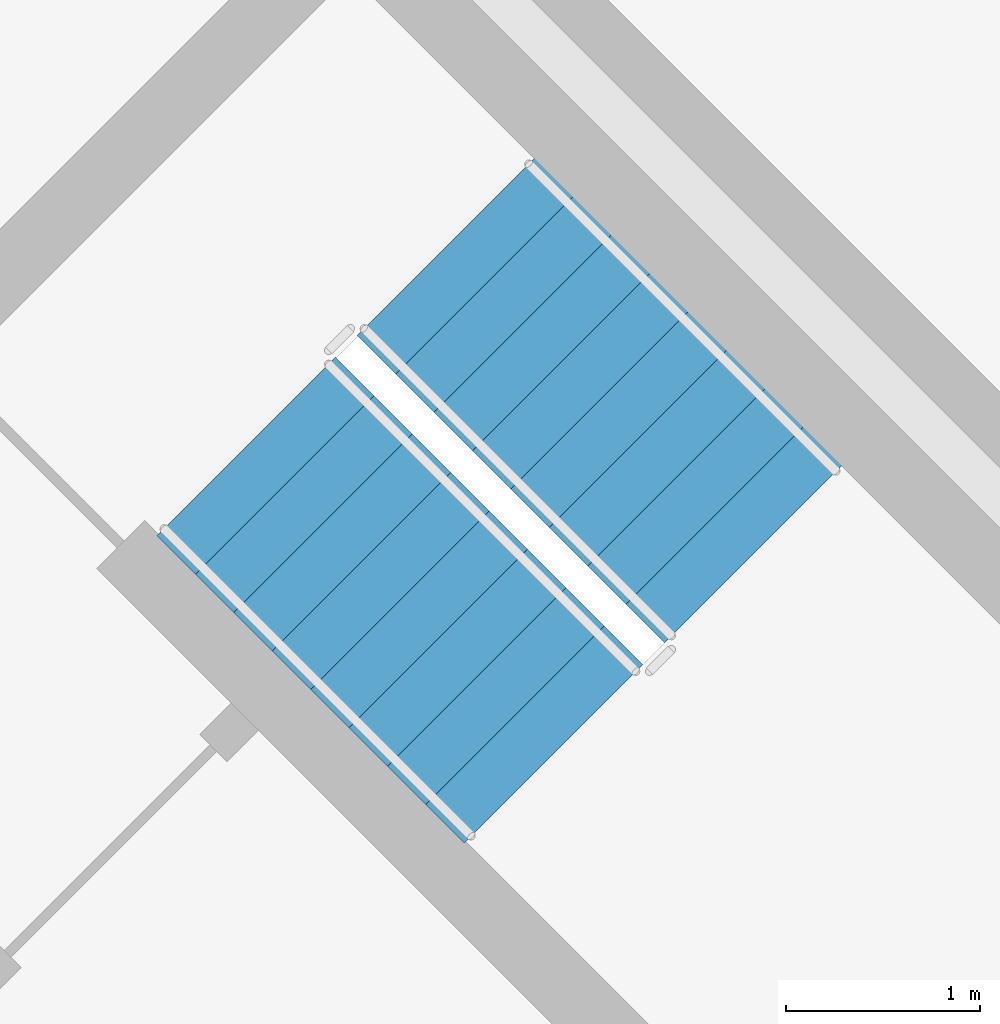
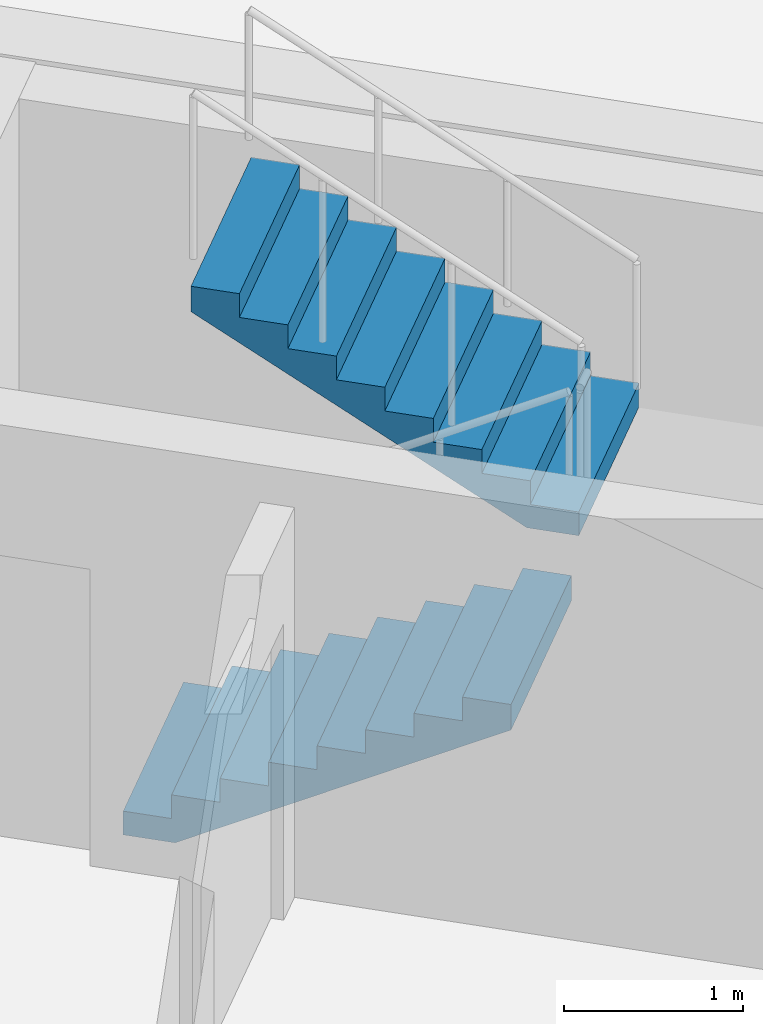
# One storey, part 15 of 17: 2 stair flights, 1 element without a shape of its own.
"""IFC4 building model written with IfcOpenShell, lengths in metres."""

from ifc_helpers import new_model, si_unit, direction, frame, origin, place, context, subcontext, project, spatial, polyline, outline, extrude, material, type_object, element, aggregate, save


model = new_model("IFC4")

# Units and contexts
model_context = context("Model", 3, precision=1e-05, world=origin(), true_north=direction((0.0, 1.0)))
body_context = subcontext(model_context, "Body", "Model", "MODEL_VIEW")
ifc_project = project(units=[si_unit("LENGTHUNIT", "METRE"), si_unit("AREAUNIT", "SQUARE_METRE"), si_unit("VOLUMEUNIT", "CUBIC_METRE"), si_unit("PLANEANGLEUNIT", "RADIAN"), si_unit("MASSUNIT", "GRAM", prefix="KILO")], contexts=[model_context])

# Site, building, storey
site_placement = place(None, origin())
site = spatial("IfcSite", under=ifc_project, at=site_placement, CompositionType="ELEMENT")
building_placement = place(site_placement, origin())
building = spatial("IfcBuilding", under=site, at=building_placement, Name="Cununo Teusaquillo Station Towers", CompositionType="ELEMENT")
storey_placement = place(building_placement, frame((0.0, 0.0, 116.7099609375)))
storey = spatial("IfcBuildingStorey", under=building, at=storey_placement, Name="L37", CompositionType="ELEMENT", Elevation=116.7099609375)

# Stair, stair flights
ifc_material_1 = material(Name="Concrete C50/60", Category="concrete")
stair_type = type_object("IfcStairType", Name="ST-TWR-1300", PredefinedType="HALF_TURN_STAIR", material=ifc_material_1)
stair_placement = place(storey_placement, origin())
stair = element("IfcStair", 1, at=stair_placement, inside=storey, type_object=stair_type, Name="L37 Tower B Protected Core Exit Stair 2", PredefinedType="HALF_TURN_STAIR")
ifc_material_2 = material(Name="Concrete C50/60", Category="concrete")
stair_flight_type = type_object("IfcStairFlightType", Name="SFL-TWR-1300", PredefinedType="STRAIGHT", material=ifc_material_2)
stair_flight_1_placement = place(storey_placement, frame((60.54052734375, 25.1787109375, 0.0), z_axis=(0.0, 0.0, 1.0), x_axis=(0.707106781187, -0.707106781187, 0.0)))
stair_flight_1 = element("IfcStairFlight", 2, at=stair_flight_1_placement, type_object=stair_flight_type, Name="ST-T2-2 flight 1", NumberOfRisers=9, NumberOfTreads=8, PredefinedType="STRAIGHT", RiserHeight=0.161666667, TreadLength=0.28, context=body_context, shape_type="SweptSolid", body=[
    extrude(outline(polyline([(0.0, 0.0), (0.0, 0.16162109375), (0.280029296875, 0.16162109375), (0.280029296875, 0.3232421875), (0.56005859375, 0.3232421875), (0.56005859375, 0.485107421875), (0.840087890625, 0.485107421875), (0.840087890625, 0.646728515625), (1.1201171875, 0.646728515625), (1.1201171875, 0.808349609375), (1.39990234375, 0.808349609375), (1.39990234375, 0.969970703125), (1.679931640625, 0.969970703125), (1.679931640625, 1.131591796875), (1.9599609375, 1.131591796875), (1.9599609375, 1.293212890625), (2.239990234375, 1.293212890625), (2.239990234375, 1.455078125), (2.239990234375, 1.1201171875), (0.2998046875, 0.0), (0.0, 0.0)])), frame((0.0, 0.64990234375, 0.0), z_axis=(0.0, -1.0, 0.0), x_axis=(1.0, 0.0, 0.0)), (0.0, 0.0, 1.0), 1.300048828125),
])
stair_flight_2_placement = place(storey_placement, frame((63.15673828125, 24.627197265625, 1.455078125), z_axis=(0.0, 0.0, 1.0), x_axis=(-0.707106781187, 0.707106781187, 0.0)))
stair_flight_2 = element("IfcStairFlight", 3, at=stair_flight_2_placement, type_object=stair_flight_type, Name="ST-T2-2 flight 2", NumberOfRisers=9, NumberOfTreads=8, PredefinedType="STRAIGHT", RiserHeight=0.161666667, TreadLength=0.28, context=body_context, shape_type="SweptSolid", body=[
    extrude(outline(polyline([(0.0, 0.0), (0.0, 0.16162109375), (0.280029296875, 0.16162109375), (0.280029296875, 0.3232421875), (0.56005859375, 0.3232421875), (0.56005859375, 0.485107421875), (0.840087890625, 0.485107421875), (0.840087890625, 0.646728515625), (1.1201171875, 0.646728515625), (1.1201171875, 0.808349609375), (1.39990234375, 0.808349609375), (1.39990234375, 0.969970703125), (1.679931640625, 0.969970703125), (1.679931640625, 1.131591796875), (1.9599609375, 1.131591796875), (1.9599609375, 1.293212890625), (2.239990234375, 1.293212890625), (2.239990234375, 1.455078125), (2.239990234375, 1.1201171875), (0.2998046875, 0.0), (0.0, 0.0)])), frame((0.0, 0.64990234375, 0.0), z_axis=(0.0, -1.0, 0.0), x_axis=(1.0, 0.0, 0.0)), (0.0, 0.0, 1.0), 1.300048828125),
])
aggregate(stair, [stair_flight_1, stair_flight_2])

save(model, "model.ifc")
